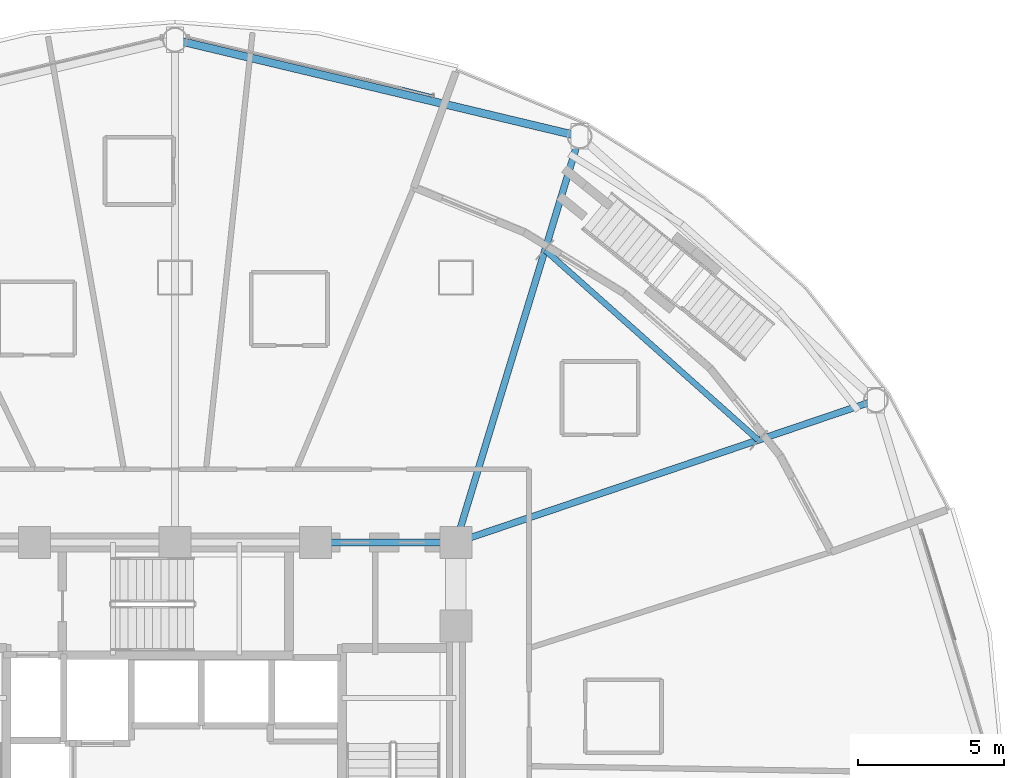
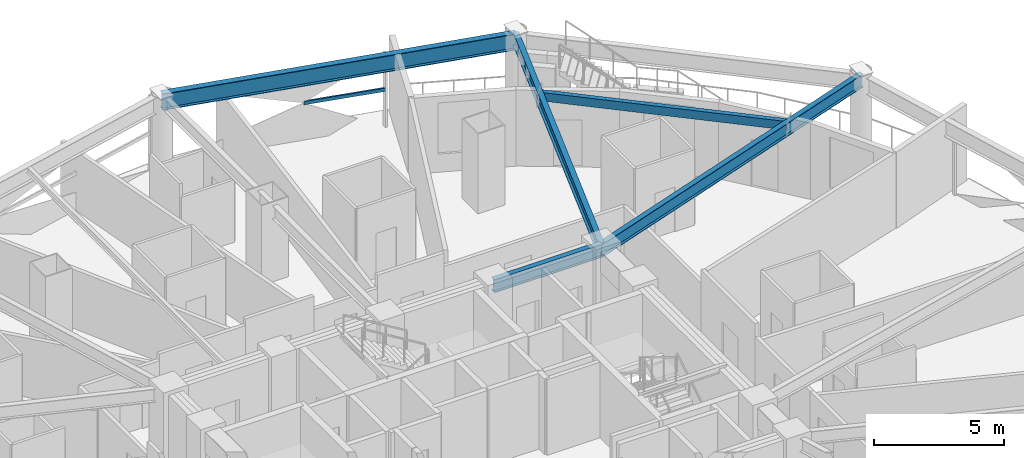
# One storey, part 18 of 33: 5 beams, 1 member, 1 element without a shape of its own.
"""IFC4 building model written with IfcOpenShell, lengths in metres."""

import ifcopenshell
import ifcopenshell.guid

model = None  # the IFC model being written
_history = None  # IfcOwnerHistory: only IFC2X3 demands one
_inside = {}  # id of a spatial element -> (the spatial element, [elements in it])
_under = {}  # id of a project, library or spatial element -> (it, [spatial elements below it])
_declared = {}  # id of a project -> (the project, [libraries it declares])
_typed = {}  # id of a type object -> (the type object, [elements of that type])
_made_of = {}  # id of a material, layer set ... -> (it, [elements and type objects made of it])


def new_model(schema):
    """Start an empty IFC model of exactly this schema.

    Asked for "IFC4X3", IfcOpenShell would pick the latest addendum, in which some entities
    have other attributes; the version numbers below select the first issue.
    IFC2X3 requires an IfcOwnerHistory on every rooted entity: one is made here for all.
    """
    global model, _history
    if schema == "IFC4X3":
        model = ifcopenshell.file(schema_version=(4, 3, 0, 0))
    else:
        model = ifcopenshell.file(schema=schema)
    _inside.clear()
    _under.clear()
    _declared.clear()
    _typed.clear()
    _made_of.clear()
    _history = None
    if model.schema == "IFC2X3":
        org = make("IfcOrganization", Name="unknown")
        user = make(
            "IfcPersonAndOrganization",
            ThePerson=make("IfcPerson", FamilyName="unknown"),
            TheOrganization=org,
        )
        app = make(
            "IfcApplication",
            ApplicationDeveloper=org,
            Version="unknown",
            ApplicationFullName="unknown",
            ApplicationIdentifier="unknown",
        )
        _history = make(
            "IfcOwnerHistory",
            OwningUser=user,
            OwningApplication=app,
            ChangeAction="ADDED",
            CreationDate=0,
        )
    return model


def make(cls, **values):
    """One entity of the class cls with the attributes given. An attribute that is None is left unset."""
    return model.create_entity(
        cls, **{name: value for name, value in values.items() if value is not None}
    )


def rooted(cls, **values):
    """An entity with a GlobalId (a new one), such as an element, a storey or a relation."""
    return make(cls, GlobalId=ifcopenshell.guid.new(), OwnerHistory=_history, **values)


def si_unit(unit_type, name, prefix=None):
    """IfcSIUnit, for example si_unit("LENGTHUNIT", "METRE", prefix="MILLI")."""
    return make("IfcSIUnit", UnitType=unit_type, Prefix=prefix, Name=name)


def assignment(units):
    """IfcUnitAssignment: the units of a project."""
    return None if units is None else make("IfcUnitAssignment", Units=units)


def point(xyz):
    """IfcCartesianPoint."""
    return None if xyz is None else make("IfcCartesianPoint", Coordinates=xyz)


def direction(xyz):
    """IfcDirection."""
    return None if xyz is None else make("IfcDirection", DirectionRatios=xyz)


def frame(location, z_axis=None, x_axis=None):
    """IfcAxis2Placement3D, a coordinate frame: its origin and axes. An axis left out is left unset."""
    return make(
        "IfcAxis2Placement3D",
        Location=point(location),
        Axis=direction(z_axis),
        RefDirection=direction(x_axis),
    )


def frame_2d(location, x_axis=None):
    """IfcAxis2Placement2D, a coordinate frame in the plane: its origin and x axis."""
    return make(
        "IfcAxis2Placement2D", Location=point(location), RefDirection=direction(x_axis)
    )


def origin():
    """The frame at (0, 0, 0) with its axes left unset."""
    return frame((0.0, 0.0, 0.0))


def origin_2d():
    """The frame at (0, 0) in the plane with its x axis left unset."""
    return frame_2d((0.0, 0.0))


def place(relative_to, where):
    """IfcLocalPlacement: puts the frame where relative to a parent placement (None: the world)."""
    return make(
        "IfcLocalPlacement", PlacementRelTo=relative_to, RelativePlacement=where
    )


def context(
    kind, dimensions, precision=None, world=None, true_north=None, identifier=None
):
    """IfcGeometricRepresentationContext, for example the 3D "Model" context."""
    return make(
        "IfcGeometricRepresentationContext",
        ContextIdentifier=identifier,
        ContextType=kind,
        CoordinateSpaceDimension=dimensions,
        Precision=precision,
        WorldCoordinateSystem=world,
        TrueNorth=true_north,
    )


def subcontext(parent, identifier, kind, view, scale=None):
    """IfcGeometricRepresentationSubContext, for example "Body" below "Model"."""
    return make(
        "IfcGeometricRepresentationSubContext",
        ContextIdentifier=identifier,
        ContextType=kind,
        ParentContext=parent,
        TargetScale=scale,
        TargetView=view,
    )


def project(units=None, contexts=None):
    """IfcProject with its units and contexts."""
    return rooted(
        "IfcProject",
        Name="project",
        RepresentationContexts=contexts,
        UnitsInContext=assignment(units),
    )


def spatial(cls, under=None, at=None, **own):
    """A site, building, storey or space (cls), placed at a placement, below another one or the project."""
    s = rooted(cls, ObjectPlacement=at, **own)
    if under is not None:
        _under.setdefault(under.id(), (under, []))[1].append(s)
    return s


def profile(cls, at=None, kind="AREA", **sizes):
    """A parametric profile (cls). Its sizes go by their IFC names, for example OverallWidth=200.0."""
    return make(cls, ProfileType=kind, Position=at, **sizes)


def hollow_rectangle(**sizes):
    """IfcRectangleHollowProfileDef."""
    return profile("IfcRectangleHollowProfileDef", **sizes)


def i_section(**sizes):
    """IfcIShapeProfileDef."""
    return profile("IfcIShapeProfileDef", **sizes)


def extrude(swept, where, along, depth):
    """IfcExtrudedAreaSolid: the profile swept, set in the frame where, extruded along a direction by depth."""
    return make(
        "IfcExtrudedAreaSolid",
        SweptArea=swept,
        Position=where,
        ExtrudedDirection=direction(along),
        Depth=depth,
    )


def shape(context_of_items, identifier, shape_type, items):
    """IfcShapeRepresentation: the items that make up one representation, for example the "Body"."""
    return make(
        "IfcShapeRepresentation",
        ContextOfItems=context_of_items,
        RepresentationIdentifier=identifier,
        RepresentationType=shape_type,
        Items=items,
    )


def material(Name=None, Category=None):
    """IfcMaterial."""
    return make("IfcMaterial", Name=Name, Category=Category)


def layer(
    of_material, thickness, ventilated=None, Name=None, Category=None, Priority=None
):
    """IfcMaterialLayer: one layer of a wall or slab, of a material (None: an air gap)."""
    return make(
        "IfcMaterialLayer",
        Material=of_material,
        LayerThickness=thickness,
        IsVentilated=ventilated,
        Name=Name,
        Category=Category,
        Priority=Priority,
    )


def layer_set(layers, Name=None):
    """IfcMaterialLayerSet."""
    return make("IfcMaterialLayerSet", MaterialLayers=layers, LayerSetName=Name)


def material_profile(
    of_material, cross_section, Name=None, Category=None, Priority=None
):
    """IfcMaterialProfile: a cross section and its material."""
    return make(
        "IfcMaterialProfile",
        Name=Name,
        Material=of_material,
        Profile=cross_section,
        Priority=Priority,
        Category=Category,
    )


def profile_set(profiles, Name=None, composite=None):
    """IfcMaterialProfileSet."""
    return make(
        "IfcMaterialProfileSet",
        Name=Name,
        MaterialProfiles=profiles,
        CompositeProfile=composite,
    )


def made_of(thing, what):
    """Note that an element or type object is made of a material, layer set ...; save() writes the relation."""
    if what is not None:
        _made_of.setdefault(what.id(), (what, []))[1].append(thing)
    return thing


def type_object(cls, material=None, **own):
    """A type object (cls), such as IfcWallType, which elements share."""
    return made_of(rooted(cls, **own), material)


def element(
    cls,
    number,
    at=None,
    inside=None,
    cuts=None,
    type_object=None,
    material=None,
    context=None,
    identifier="Body",
    shape_type=None,
    held_by="IfcProductDefinitionShape",
    body=None,
    shapes=None,
    **own,
):
    """One element of the class cls, such as IfcWall. Its Tag is "e" and its number.

    at: its placement. inside: the storey or other place that contains it. cuts: it is an
    opening in that element (IfcRelVoidsElement). A single representation is given by context,
    identifier, shape_type and body (its items); several are given by shapes. held_by: the class
    of the entity that holds the representations. save() writes the other relations.
    """
    e = rooted(cls, Tag="e%d" % number, ObjectPlacement=at, **own)
    if body is not None:
        shapes = [shape(context, identifier, shape_type, body)]
    if shapes is not None:
        e.Representation = make(held_by, Representations=shapes)
    if inside is not None:
        _inside.setdefault(inside.id(), (inside, []))[1].append(e)
    if cuts is not None:
        rooted(
            "IfcRelVoidsElement", RelatingBuildingElement=cuts, RelatedOpeningElement=e
        )
    if type_object is not None:
        _typed.setdefault(type_object.id(), (type_object, []))[1].append(e)
    return made_of(e, material)


def aggregate(whole, parts):
    """IfcRelAggregates: a whole, such as a stair, and the parts it consists of."""
    return rooted("IfcRelAggregates", RelatingObject=whole, RelatedObjects=parts)


def save(model, path):
    """Write the relations noted so far, then the file.

    IfcRelAggregates (storeys below a building ...), IfcRelContainedInSpatialStructure (elements
    in a storey), IfcRelDefinesByType, IfcRelAssociatesMaterial and IfcRelDeclares: one each for
    every whole, place, type object, material and project.
    """
    for whole, parts in _under.values():
        aggregate(whole, parts)
    for where, things in _inside.values():
        rooted(
            "IfcRelContainedInSpatialStructure",
            RelatedElements=things,
            RelatingStructure=where,
        )
    for kind, things in _typed.values():
        rooted("IfcRelDefinesByType", RelatedObjects=things, RelatingType=kind)
    for what, things in _made_of.values():
        rooted("IfcRelAssociatesMaterial", RelatedObjects=things, RelatingMaterial=what)
    for by, libraries in _declared.values():
        rooted("IfcRelDeclares", RelatingContext=by, RelatedDefinitions=libraries)
    model.write(path)


model = new_model("IFC4")

# Units and contexts
model_context = context("Model", 3, precision=1e-05, world=origin(), true_north=direction((0.0, 1.0)))
body_context = subcontext(model_context, "Body", "Model", "MODEL_VIEW")
ifc_project = project(units=[si_unit("LENGTHUNIT", "METRE"), si_unit("AREAUNIT", "SQUARE_METRE"), si_unit("VOLUMEUNIT", "CUBIC_METRE"), si_unit("PLANEANGLEUNIT", "RADIAN"), si_unit("MASSUNIT", "GRAM", prefix="KILO")], contexts=[model_context])

# Site, building, storey
site_placement = place(None, origin())
site = spatial("IfcSite", under=ifc_project, at=site_placement, CompositionType="ELEMENT")
building_placement = place(site_placement, origin())
building = spatial("IfcBuilding", under=site, at=building_placement, Name="Vantalir Tower", CompositionType="ELEMENT")
storey_placement = place(building_placement, frame((0.0, 0.0, 68.25)))
storey = spatial("IfcBuildingStorey", under=building, at=storey_placement, Name="L16", CompositionType="ELEMENT", Elevation=68.25)

# Beams
ifc_material_1 = material(Name="Steel S355", Category="steel")
ifc_material_profile_1 = material_profile(ifc_material_1, i_section(OverallWidth=0.22998046875, OverallDepth=0.616943359375, WebThickness=0.01318359375, FlangeThickness=0.022216796875, at=origin_2d()), Name="Steel S355")
ifc_profile_set_1 = profile_set([ifc_material_profile_1], Name="Steel S355")
beam_type_1 = type_object("IfcBeamType", Name="BM-RB-610x229", PredefinedType="BEAM", material=ifc_profile_set_1)
beam_1_placement = place(storey_placement, frame((41.10009765625, 32.449951171875, 3.261962890625), z_axis=(-1.0, 0.0, 0.0), x_axis=(0.0, -1.0, 0.0)))
element("IfcBeam", 1, at=beam_1_placement, inside=storey, type_object=beam_type_1, Name="L16 Core Coupling Girder 08", PredefinedType="BEAM", context=body_context, shape_type="SweptSolid", body=[
    extrude(i_section(OverallWidth=0.22998046875, OverallDepth=0.616943359375, WebThickness=0.01318359375, FlangeThickness=0.022216796875, at=origin_2d()), origin(), (0.0, 0.0, 1.0), 4.800048828125),
])
beam_2_placement = place(storey_placement, frame((55.446044921875, 37.31396484375, 3.261962890625), z_axis=(-0.947046193485, -0.321097348799, 0.0), x_axis=(0.321097348799, -0.947046193485, 0.0)))
element("IfcBeam", 2, at=beam_2_placement, inside=storey, type_object=beam_type_1, Name="L16 Radial Floor Beam 02", PredefinedType="BEAM", context=body_context, shape_type="SweptSolid", body=[
    extrude(i_section(OverallWidth=0.22998046875, OverallDepth=0.616943359375, WebThickness=0.01318359375, FlangeThickness=0.022216796875, at=origin_2d()), origin(), (0.0, 0.0, 1.0), 15.148193359375),
])
beam_3_placement = place(storey_placement, frame((45.324951171875, 46.3291015625, 3.261962890625), z_axis=(-0.29120982872, -0.956659205599, 0.0), x_axis=(0.956659205599, -0.29120982872, 0.0)))
element("IfcBeam", 3, at=beam_3_placement, inside=storey, type_object=beam_type_1, Name="L16 Radial Floor Beam 03", PredefinedType="BEAM", context=body_context, shape_type="SweptSolid", body=[
    extrude(i_section(OverallWidth=0.22998046875, OverallDepth=0.616943359375, WebThickness=0.01318359375, FlangeThickness=0.022216796875, at=origin_2d()), origin(), (0.0, 0.0, 1.0), 14.508056640625),
])
ifc_material_2 = material(Name="Steel S460", Category="steel")
ifc_material_profile_2 = material_profile(ifc_material_2, i_section(OverallWidth=0.26806640625, OverallDepth=0.77001953125, WebThickness=0.015625, FlangeThickness=0.025390625, at=origin_2d()), Name="Steel S460")
ifc_profile_set_2 = profile_set([ifc_material_profile_2], Name="Steel S460")
beam_type_2 = type_object("IfcBeamType", Name="BM-RG-762x267", PredefinedType="USERDEFINED", material=ifc_profile_set_2)
beam_4_placement = place(storey_placement, frame((45.324951171875, 46.3291015625, 3.18505859375), z_axis=(-0.972676867925, 0.232163112064, 0.0), x_axis=(-0.232163112064, -0.972676867925, 0.0)))
element("IfcBeam", 4, at=beam_4_placement, inside=storey, type_object=beam_type_2, Name="L16 Circumferential Ring Girder 03", ObjectType="GIRDER", PredefinedType="USERDEFINED", context=body_context, shape_type="SweptSolid", body=[
    extrude(i_section(OverallWidth=0.26806640625, OverallDepth=0.77001953125, WebThickness=0.015625, FlangeThickness=0.025390625, at=origin_2d()), origin(), (0.0, 0.0, 1.0), 14.21337890625),
])
ifc_material_profile_3 = material_profile(ifc_material_1, hollow_rectangle(XDim=0.199951171875, YDim=0.39990234375, WallThickness=0.01611328125, at=origin_2d()), Name="Steel S355")
ifc_profile_set_3 = profile_set([ifc_material_profile_3], Name="Steel S355")
beam_type_3 = type_object("IfcBeamType", Name="BM-SP-400x200", PredefinedType="LINTEL", material=ifc_profile_set_3)
beam_5_placement = place(storey_placement, frame((51.428955078125, 35.951904296875, 3.3701171875), z_axis=(-0.74669666748, 0.665164706501, 0.0), x_axis=(-0.665164706501, -0.74669666748, 0.0)))
element("IfcBeam", 5, at=beam_5_placement, inside=storey, type_object=beam_type_3, Name="L16 SG1 Recessed Edge Lintel 1", PredefinedType="LINTEL", context=body_context, shape_type="SweptSolid", body=[
    extrude(hollow_rectangle(XDim=0.199951171875, YDim=0.39990234375, WallThickness=0.01611328125, at=origin_2d()), origin(), (0.0, 0.0, 1.0), 9.7587890625),
])

# Curtain wall, member
ifc_material_3 = material(Name="Champagne-silver PVDF aluminium and double-silver Low-E glass", Category="aluminium")
ifc_layer = layer(ifc_material_3, 0.18994140625)
ifc_layer_set = layer_set([ifc_layer], Name="Champagne-silver PVDF aluminium and double-silver Low-E glass")
curtain_wall_type = type_object("IfcCurtainWallType", Name="CW-DIAMOND-Z1", PredefinedType="USERDEFINED", material=ifc_layer_set)
curtain_wall_placement = place(storey_placement, origin())
curtain_wall = element("IfcCurtainWall", 6, at=curtain_wall_placement, inside=storey, type_object=curtain_wall_type, Name="L16 Quilted Pyramid-Diamond Curtain Wall S03", ObjectType="UNITISED CURTAIN WALL", PredefinedType="USERDEFINED")
ifc_material_4 = material(Name="Champagne-silver PVDF aluminium 6063-T6", Category="aluminium")
ifc_material_profile_4 = material_profile(ifc_material_4, hollow_rectangle(XDim=0.074951171875, YDim=0.159912109375, WallThickness=0.00390625, at=origin_2d()), Name="Champagne-silver PVDF aluminium 6063-T6")
ifc_profile_set_4 = profile_set([ifc_material_profile_4], Name="Champagne-silver PVDF aluminium 6063-T6")
member_type = type_object("IfcMemberType", Name="CWT-160x75", PredefinedType="USERDEFINED", material=ifc_profile_set_4)
member_placement = place(storey_placement, frame((40.322998046875, 47.7119140625, 1.784912109375), z_axis=(-0.97096712579, 0.239212960842, 0.0), x_axis=(-0.239212960842, -0.97096712579, 0.0)))
member = element("IfcMember", 7, at=member_placement, type_object=member_type, Name="CW-L16-S03 Pyramid Fold Ridge Transom", ObjectType="TRANSOM", PredefinedType="USERDEFINED", context=body_context, shape_type="SweptSolid", body=[
    extrude(hollow_rectangle(XDim=0.074951171875, YDim=0.159912109375, WallThickness=0.00390625, at=origin_2d()), origin(), (0.0, 0.0, 1.0), 3.26904296875),
])
aggregate(curtain_wall, [member])

save(model, "model.ifc")
